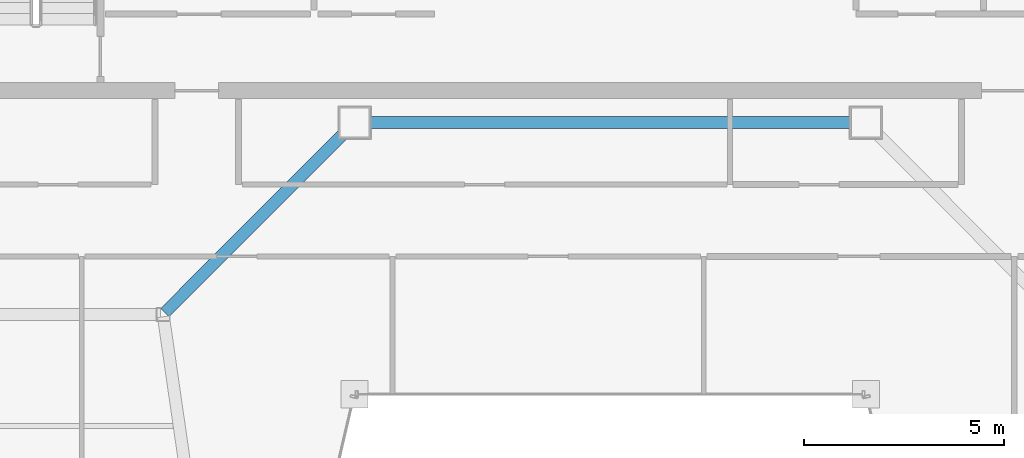
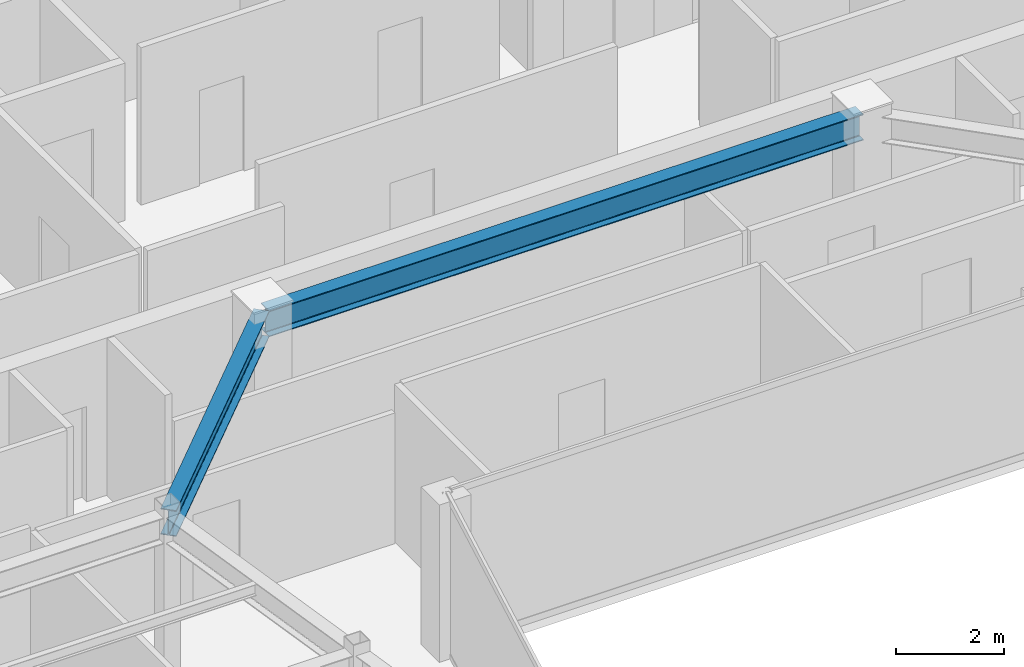
# One storey, part 11 of 32: 2 beams.
"""IFC4 building model written with IfcOpenShell, lengths in metres."""

from ifc_helpers import new_model, si_unit, direction, frame, origin, origin_2d, place, context, subcontext, project, spatial, i_section, extrude, material, material_profile, profile_set, type_object, element, save


model = new_model("IFC4")

# Units and contexts
model_context = context("Model", 3, precision=1e-05, world=origin(), true_north=direction((0.0, 1.0)))
body_context = subcontext(model_context, "Body", "Model", "MODEL_VIEW")
ifc_project = project(units=[si_unit("LENGTHUNIT", "METRE"), si_unit("AREAUNIT", "SQUARE_METRE"), si_unit("VOLUMEUNIT", "CUBIC_METRE"), si_unit("PLANEANGLEUNIT", "RADIAN"), si_unit("MASSUNIT", "GRAM", prefix="KILO")], contexts=[model_context])

# Site, building, storey
site_placement = place(None, origin())
site = spatial("IfcSite", under=ifc_project, at=site_placement, CompositionType="ELEMENT")
building_placement = place(site_placement, origin())
building = spatial("IfcBuilding", under=site, at=building_placement, Name="Saevonmaru Cultural Tower", CompositionType="ELEMENT")
storey_placement = place(building_placement, frame((0.0, 0.0, 257.199951171875)))
storey = spatial("IfcBuildingStorey", under=building, at=storey_placement, Name="L60", CompositionType="ELEMENT", Elevation=257.199951171875)

# Beams
ifc_material = material(Name="Steel SM355", Category="steel")
ifc_material_profile = material_profile(ifc_material, i_section(OverallWidth=0.300048828125, OverallDepth=0.587890625, WebThickness=0.011962890625, FlangeThickness=0.02001953125, FilletRadius=0.02392578125, at=origin_2d()), Name="H-588x300x12x20")
ifc_profile_set = profile_set([ifc_material_profile], Name="Steel SM355")
beam_type = type_object("IfcBeamType", Name="BM-G-H588", PredefinedType="BEAM", material=ifc_profile_set)
beam_1_placement = place(storey_placement, frame((23.659912109375, 42.39990234375, 3.256103515625), z_axis=(1.0, 0.0, 0.0), x_axis=(0.0, 1.0, 0.0)))
element("IfcBeam", 1, at=beam_1_placement, inside=storey, type_object=beam_type, Name="L60 Core South Girder 3", PredefinedType="BEAM", context=body_context, shape_type="SweptSolid", body=[
    extrude(i_section(OverallWidth=0.300048828125, OverallDepth=0.587890625, WebThickness=0.011962890625, FlangeThickness=0.02001953125, FilletRadius=0.02392578125, at=origin_2d()), origin(), (0.0, 0.0, 1.0), 12.68017578125),
])
beam_2_placement = place(storey_placement, frame((18.850341796875, 37.642578125, 3.256103515625), z_axis=(0.706538566564, 0.707674539572, 0.0), x_axis=(-0.707674539572, 0.706538566564, 0.0)))
element("IfcBeam", 2, at=beam_2_placement, inside=storey, type_object=beam_type, Name="L60 West Atrium Girder 3", PredefinedType="BEAM", context=body_context, shape_type="SweptSolid", body=[
    extrude(i_section(OverallWidth=0.300048828125, OverallDepth=0.587890625, WebThickness=0.011962890625, FlangeThickness=0.02001953125, FilletRadius=0.02392578125, at=origin_2d()), origin(), (0.0, 0.0, 1.0), 6.662353515625),
])

save(model, "model.ifc")
